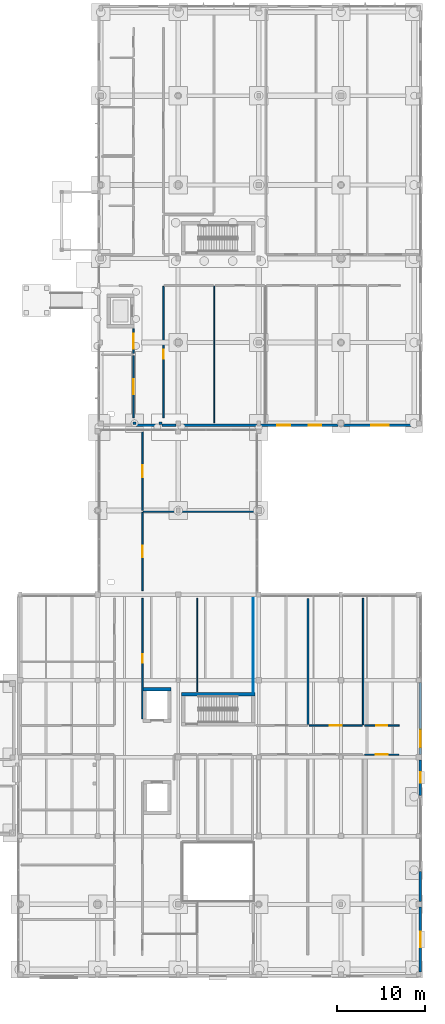
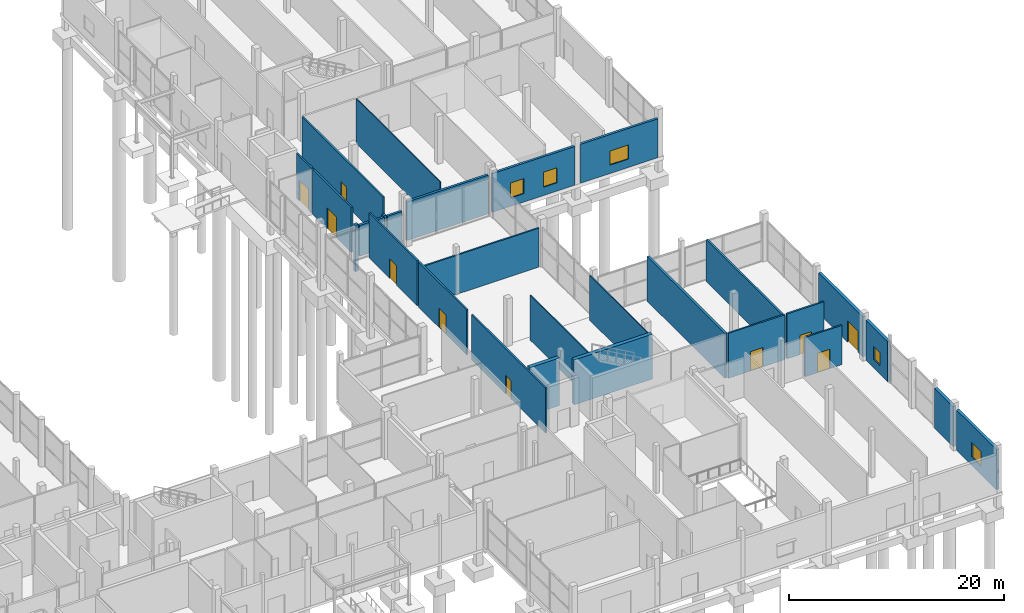
# One storey, part 68 of 88: 28 walls, 10 doors, 5 windows, 15 openings.
"""IFC4 building model written with IfcOpenShell, lengths in metres."""

import ifcopenshell
import ifcopenshell.guid

model = None  # the IFC model being written
_history = None  # IfcOwnerHistory: only IFC2X3 demands one
_inside = {}  # id of a spatial element -> (the spatial element, [elements in it])
_under = {}  # id of a project, library or spatial element -> (it, [spatial elements below it])
_declared = {}  # id of a project -> (the project, [libraries it declares])
_typed = {}  # id of a type object -> (the type object, [elements of that type])
_made_of = {}  # id of a material, layer set ... -> (it, [elements and type objects made of it])


def new_model(schema):
    """Start an empty IFC model of exactly this schema.

    Asked for "IFC4X3", IfcOpenShell would pick the latest addendum, in which some entities
    have other attributes; the version numbers below select the first issue.
    IFC2X3 requires an IfcOwnerHistory on every rooted entity: one is made here for all.
    """
    global model, _history
    if schema == "IFC4X3":
        model = ifcopenshell.file(schema_version=(4, 3, 0, 0))
    else:
        model = ifcopenshell.file(schema=schema)
    _inside.clear()
    _under.clear()
    _declared.clear()
    _typed.clear()
    _made_of.clear()
    _history = None
    if model.schema == "IFC2X3":
        org = make("IfcOrganization", Name="unknown")
        user = make(
            "IfcPersonAndOrganization",
            ThePerson=make("IfcPerson", FamilyName="unknown"),
            TheOrganization=org,
        )
        app = make(
            "IfcApplication",
            ApplicationDeveloper=org,
            Version="unknown",
            ApplicationFullName="unknown",
            ApplicationIdentifier="unknown",
        )
        _history = make(
            "IfcOwnerHistory",
            OwningUser=user,
            OwningApplication=app,
            ChangeAction="ADDED",
            CreationDate=0,
        )
    return model


def make(cls, **values):
    """One entity of the class cls with the attributes given. An attribute that is None is left unset."""
    return model.create_entity(
        cls, **{name: value for name, value in values.items() if value is not None}
    )


def rooted(cls, **values):
    """An entity with a GlobalId (a new one), such as an element, a storey or a relation."""
    return make(cls, GlobalId=ifcopenshell.guid.new(), OwnerHistory=_history, **values)


def si_unit(unit_type, name, prefix=None):
    """IfcSIUnit, for example si_unit("LENGTHUNIT", "METRE", prefix="MILLI")."""
    return make("IfcSIUnit", UnitType=unit_type, Prefix=prefix, Name=name)


def assignment(units):
    """IfcUnitAssignment: the units of a project."""
    return None if units is None else make("IfcUnitAssignment", Units=units)


def point(xyz):
    """IfcCartesianPoint."""
    return None if xyz is None else make("IfcCartesianPoint", Coordinates=xyz)


def direction(xyz):
    """IfcDirection."""
    return None if xyz is None else make("IfcDirection", DirectionRatios=xyz)


def frame(location, z_axis=None, x_axis=None):
    """IfcAxis2Placement3D, a coordinate frame: its origin and axes. An axis left out is left unset."""
    return make(
        "IfcAxis2Placement3D",
        Location=point(location),
        Axis=direction(z_axis),
        RefDirection=direction(x_axis),
    )


def frame_2d(location, x_axis=None):
    """IfcAxis2Placement2D, a coordinate frame in the plane: its origin and x axis."""
    return make(
        "IfcAxis2Placement2D", Location=point(location), RefDirection=direction(x_axis)
    )


def origin():
    """The frame at (0, 0, 0) with its axes left unset."""
    return frame((0.0, 0.0, 0.0))


def place(relative_to, where):
    """IfcLocalPlacement: puts the frame where relative to a parent placement (None: the world)."""
    return make(
        "IfcLocalPlacement", PlacementRelTo=relative_to, RelativePlacement=where
    )


def context(
    kind, dimensions, precision=None, world=None, true_north=None, identifier=None
):
    """IfcGeometricRepresentationContext, for example the 3D "Model" context."""
    return make(
        "IfcGeometricRepresentationContext",
        ContextIdentifier=identifier,
        ContextType=kind,
        CoordinateSpaceDimension=dimensions,
        Precision=precision,
        WorldCoordinateSystem=world,
        TrueNorth=true_north,
    )


def subcontext(parent, identifier, kind, view, scale=None):
    """IfcGeometricRepresentationSubContext, for example "Body" below "Model"."""
    return make(
        "IfcGeometricRepresentationSubContext",
        ContextIdentifier=identifier,
        ContextType=kind,
        ParentContext=parent,
        TargetScale=scale,
        TargetView=view,
    )


def project(units=None, contexts=None):
    """IfcProject with its units and contexts."""
    return rooted(
        "IfcProject",
        Name="project",
        RepresentationContexts=contexts,
        UnitsInContext=assignment(units),
    )


def spatial(cls, under=None, at=None, **own):
    """A site, building, storey or space (cls), placed at a placement, below another one or the project."""
    s = rooted(cls, ObjectPlacement=at, **own)
    if under is not None:
        _under.setdefault(under.id(), (under, []))[1].append(s)
    return s


def profile(cls, at=None, kind="AREA", **sizes):
    """A parametric profile (cls). Its sizes go by their IFC names, for example OverallWidth=200.0."""
    return make(cls, ProfileType=kind, Position=at, **sizes)


def rectangle(**sizes):
    """IfcRectangleProfileDef."""
    return profile("IfcRectangleProfileDef", **sizes)


def extrude(swept, where, along, depth):
    """IfcExtrudedAreaSolid: the profile swept, set in the frame where, extruded along a direction by depth."""
    return make(
        "IfcExtrudedAreaSolid",
        SweptArea=swept,
        Position=where,
        ExtrudedDirection=direction(along),
        Depth=depth,
    )


def shape(context_of_items, identifier, shape_type, items):
    """IfcShapeRepresentation: the items that make up one representation, for example the "Body"."""
    return make(
        "IfcShapeRepresentation",
        ContextOfItems=context_of_items,
        RepresentationIdentifier=identifier,
        RepresentationType=shape_type,
        Items=items,
    )


def material(Name=None, Category=None):
    """IfcMaterial."""
    return make("IfcMaterial", Name=Name, Category=Category)


def layer(
    of_material, thickness, ventilated=None, Name=None, Category=None, Priority=None
):
    """IfcMaterialLayer: one layer of a wall or slab, of a material (None: an air gap)."""
    return make(
        "IfcMaterialLayer",
        Material=of_material,
        LayerThickness=thickness,
        IsVentilated=ventilated,
        Name=Name,
        Category=Category,
        Priority=Priority,
    )


def layer_set(layers, Name=None):
    """IfcMaterialLayerSet."""
    return make("IfcMaterialLayerSet", MaterialLayers=layers, LayerSetName=Name)


def made_of(thing, what):
    """Note that an element or type object is made of a material, layer set ...; save() writes the relation."""
    if what is not None:
        _made_of.setdefault(what.id(), (what, []))[1].append(thing)
    return thing


def type_object(cls, material=None, **own):
    """A type object (cls), such as IfcWallType, which elements share."""
    return made_of(rooted(cls, **own), material)


def element(
    cls,
    number,
    at=None,
    inside=None,
    cuts=None,
    type_object=None,
    material=None,
    context=None,
    identifier="Body",
    shape_type=None,
    held_by="IfcProductDefinitionShape",
    body=None,
    shapes=None,
    **own,
):
    """One element of the class cls, such as IfcWall. Its Tag is "e" and its number.

    at: its placement. inside: the storey or other place that contains it. cuts: it is an
    opening in that element (IfcRelVoidsElement). A single representation is given by context,
    identifier, shape_type and body (its items); several are given by shapes. held_by: the class
    of the entity that holds the representations. save() writes the other relations.
    """
    e = rooted(cls, Tag="e%d" % number, ObjectPlacement=at, **own)
    if body is not None:
        shapes = [shape(context, identifier, shape_type, body)]
    if shapes is not None:
        e.Representation = make(held_by, Representations=shapes)
    if inside is not None:
        _inside.setdefault(inside.id(), (inside, []))[1].append(e)
    if cuts is not None:
        rooted(
            "IfcRelVoidsElement", RelatingBuildingElement=cuts, RelatedOpeningElement=e
        )
    if type_object is not None:
        _typed.setdefault(type_object.id(), (type_object, []))[1].append(e)
    return made_of(e, material)


def fill(opening, filler):
    """IfcRelFillsElement: the door or window that sits in an opening."""
    return rooted(
        "IfcRelFillsElement",
        RelatingOpeningElement=opening,
        RelatedBuildingElement=filler,
    )


def aggregate(whole, parts):
    """IfcRelAggregates: a whole, such as a stair, and the parts it consists of."""
    return rooted("IfcRelAggregates", RelatingObject=whole, RelatedObjects=parts)


def save(model, path):
    """Write the relations noted so far, then the file.

    IfcRelAggregates (storeys below a building ...), IfcRelContainedInSpatialStructure (elements
    in a storey), IfcRelDefinesByType, IfcRelAssociatesMaterial and IfcRelDeclares: one each for
    every whole, place, type object, material and project.
    """
    for whole, parts in _under.values():
        aggregate(whole, parts)
    for where, things in _inside.values():
        rooted(
            "IfcRelContainedInSpatialStructure",
            RelatedElements=things,
            RelatingStructure=where,
        )
    for kind, things in _typed.values():
        rooted("IfcRelDefinesByType", RelatedObjects=things, RelatingType=kind)
    for what, things in _made_of.values():
        rooted("IfcRelAssociatesMaterial", RelatedObjects=things, RelatingMaterial=what)
    for by, libraries in _declared.values():
        rooted("IfcRelDeclares", RelatingContext=by, RelatedDefinitions=libraries)
    model.write(path)


model = new_model("IFC4")

# Units and contexts
model_context = context("Model", 3, precision=1e-05, world=origin(), true_north=direction((0.0, 1.0)))
body_context = subcontext(model_context, "Body", "Model", "MODEL_VIEW")
ifc_project = project(units=[si_unit("LENGTHUNIT", "METRE"), si_unit("AREAUNIT", "SQUARE_METRE"), si_unit("VOLUMEUNIT", "CUBIC_METRE"), si_unit("PLANEANGLEUNIT", "RADIAN"), si_unit("MASSUNIT", "GRAM", prefix="KILO")], contexts=[model_context])

# Site, building, storey
site_placement = place(None, origin())
site = spatial("IfcSite", under=ifc_project, at=site_placement, CompositionType="ELEMENT")
building_placement = place(site_placement, origin())
building = spatial("IfcBuilding", under=site, at=building_placement, Name="Birchvale Park Specialist Clinic", CompositionType="ELEMENT")
storey_placement = place(building_placement, origin())
storey = spatial("IfcBuildingStorey", under=building, at=storey_placement, Name="L00", CompositionType="ELEMENT", Elevation=0.0)

# Walls
ifc_material_1 = material(Name="Concrete C40/50", Category="concrete")
ifc_layer_1 = layer(ifc_material_1, 0.39990234375)
ifc_layer_set_1 = layer_set([ifc_layer_1], Name="Concrete C40/50")
wall_type_1 = type_object("IfcWallType", Name="WL-CW-120", PredefinedType="SHEAR", material=ifc_layer_set_1)
wall_1_placement = place(storey_placement, frame((146.0, 33.0, 0.0), z_axis=(0.0, 0.0, 1.0), x_axis=(-1.0, 0.0, 0.0)))
element("IfcWall", 1, at=wall_1_placement, inside=storey, type_object=wall_type_1, Name="L00 stair ST6 EI 120 enclosure wall (north)", PredefinedType="SHEAR", context=body_context, shape_type="SweptSolid", body=[
    extrude(rectangle(XDim=8.39990234375, YDim=0.39990234375, at=frame_2d((4.199951171875, 0.0))), origin(), (0.0, 0.0, 1.0), 5.10009765625),
])
wall_2_placement = place(storey_placement, frame((136.39990234375, 33.60009765625, 0.0), z_axis=(0.0, 0.0, 1.0), x_axis=(-1.0, 0.0, 0.0)))
element("IfcWall", 2, at=wall_2_placement, inside=storey, type_object=wall_type_1, Name="L00 lift LS2 shaft wall (north)", PredefinedType="SHEAR", context=body_context, shape_type="SweptSolid", body=[
    extrude(rectangle(XDim=3.199951171875, YDim=0.39990234375, at=frame_2d((1.60009765625, 0.0))), origin(), (0.0, 0.0, 1.0), 5.39990234375),
])

# Wall, opening, window
ifc_material_2 = material(Name="Lime-white mineral-rendered insulated masonry", Category="masonry")
ifc_layer_2 = layer(ifc_material_2, 0.31005859375)
ifc_layer_set_2 = layer_set([ifc_layer_2], Name="Lime-white mineral-rendered insulated masonry")
wall_type_2 = type_object("IfcWallType", Name="WL-EW-02", PredefinedType="STANDARD", material=ifc_layer_set_2)
wall_3_placement = place(storey_placement, frame((164.875, 1.260009765625, 0.0), z_axis=(0.0, 0.0, 1.0), x_axis=(0.0, 1.0, 0.0)))
wall_3 = element("IfcWall", 3, at=wall_3_placement, inside=storey, type_object=wall_type_2, Name="V5 L00 exterior facade wall 94", PredefinedType="STANDARD", context=body_context, shape_type="SweptSolid", body=[
    extrude(rectangle(XDim=7.429931640625, YDim=0.31005859375, at=frame_2d((3.71484375, 0.0))), origin(), (0.0, 0.0, 1.0), 4.570068359375),
])
opening_1_placement = place(wall_3_placement, frame((2.840087890625, 0.0, 0.949951171875)))
opening_1 = element("IfcOpeningElement", 4, at=opening_1_placement, cuts=wall_3, Name="Opening W-CL16", PredefinedType="OPENING", context=body_context, shape_type="SweptSolid", body=[
    extrude(rectangle(XDim=1.75, YDim=1.64990234375, at=frame_2d((0.875, 0.824951171875))), frame((0.0, 0.1650390625, 0.0), z_axis=(0.0, -1.0, 0.0), x_axis=(1.0, 0.0, 0.0)), (0.0, 0.0, 1.0), 0.330078125),
])
ifc_material_3 = material(Name="Solar-control low-E double glazing", Category="glass")
window_type_1 = type_object("IfcWindowType", Name="WIN-W-CL16", PartitioningType="SINGLE_PANEL", PredefinedType="WINDOW", material=ifc_material_3)
window_1_placement = place(opening_1_placement, origin())
window_1 = element("IfcWindow", 5, at=window_1_placement, inside=storey, type_object=window_type_1, Name="V5 L00 cased window 13", OverallHeight=1.64990234375, OverallWidth=1.75, PartitioningType="SINGLE_PANEL", PredefinedType="WINDOW", context=body_context, shape_type="SweptSolid", body=[
    extrude(rectangle(XDim=1.75, YDim=1.64990234375, at=frame_2d((0.875, 0.824951171875))), frame((0.0, 0.030029296875, 0.0), z_axis=(0.0, -1.0, 0.0), x_axis=(1.0, 0.0, 0.0)), (0.0, 0.0, 1.0), 0.06005859375),
])
fill(opening_1, window_1)

# Wall
wall_4_placement = place(storey_placement, frame((164.875, 9.31005859375, 0.0), z_axis=(0.0, 0.0, 1.0), x_axis=(0.0, 1.0, 0.0)))
element("IfcWall", 6, at=wall_4_placement, inside=storey, type_object=wall_type_2, Name="V5 L00 exterior facade wall 95", PredefinedType="STANDARD", context=body_context, shape_type="SweptSolid", body=[
    extrude(rectangle(XDim=3.425048828125, YDim=0.31005859375, at=frame_2d((1.71240234375, 0.0))), origin(), (0.0, 0.0, 1.0), 4.570068359375),
])

# Wall, opening, window
wall_5_placement = place(storey_placement, frame((164.875, 21.455078125, 0.0), z_axis=(0.0, 0.0, 1.0), x_axis=(0.0, 1.0, 0.0)))
wall_5 = element("IfcWall", 7, at=wall_5_placement, inside=storey, type_object=wall_type_2, Name="V5 L00 exterior facade wall 96", PredefinedType="STANDARD", context=body_context, shape_type="SweptSolid", body=[
    extrude(rectangle(XDim=4.034912109375, YDim=0.31005859375, at=frame_2d((2.017578125, 0.0))), origin(), (0.0, 0.0, 1.0), 4.570068359375),
])
opening_2_placement = place(wall_5_placement, frame((1.41748046875, 0.0, 0.949951171875)))
opening_2 = element("IfcOpeningElement", 8, at=opening_2_placement, cuts=wall_5, Name="Opening W-CL01", PredefinedType="OPENING", context=body_context, shape_type="SweptSolid", body=[
    extrude(rectangle(XDim=1.199951171875, YDim=1.5, at=frame_2d((0.60009765625, 0.75))), frame((0.0, 0.1650390625, 0.0), z_axis=(0.0, -1.0, 0.0), x_axis=(1.0, 0.0, 0.0)), (0.0, 0.0, 1.0), 0.330078125),
])
window_type_2 = type_object("IfcWindowType", Name="WIN-W-CL01", PartitioningType="SINGLE_PANEL", PredefinedType="WINDOW", material=ifc_material_3)
window_2_placement = place(opening_2_placement, origin())
window_2 = element("IfcWindow", 9, at=window_2_placement, inside=storey, type_object=window_type_2, Name="V5 L00 cased window 14", OverallHeight=1.5, OverallWidth=1.199951171875, PartitioningType="SINGLE_PANEL", PredefinedType="WINDOW", context=body_context, shape_type="SweptSolid", body=[
    extrude(rectangle(XDim=1.199951171875, YDim=1.5, at=frame_2d((0.60009765625, 0.75))), frame((0.0, 0.030029296875, 0.0), z_axis=(0.0, -1.0, 0.0), x_axis=(1.0, 0.0, 0.0)), (0.0, 0.0, 1.0), 0.06005859375),
])
fill(opening_2, window_2)

# Wall, opening, door
wall_6_placement = place(storey_placement, frame((164.875, 26.110107421875, 0.0), z_axis=(0.0, 0.0, 1.0), x_axis=(0.0, 1.0, 0.0)))
wall_6 = element("IfcWall", 10, at=wall_6_placement, inside=storey, type_object=wall_type_2, Name="V5 L00 exterior facade wall 97", PredefinedType="STANDARD", context=body_context, shape_type="SweptSolid", body=[
    extrude(rectangle(XDim=8.22998046875, YDim=0.31005859375, at=frame_2d((4.114990234375, 0.0))), origin(), (0.0, 0.0, 1.0), 4.570068359375),
])
opening_3_placement = place(wall_6_placement, frame((0.82470703125, 0.0, 0.0)))
opening_3 = element("IfcOpeningElement", 11, at=opening_3_placement, cuts=wall_6, Name="Opening ED-02", PredefinedType="OPENING", context=body_context, shape_type="SweptSolid", body=[
    extrude(rectangle(XDim=2.0, YDim=2.39990234375, at=frame_2d((1.0, 1.199951171875))), frame((0.0, 0.1650390625, 0.0), z_axis=(0.0, -1.0, 0.0), x_axis=(1.0, 0.0, 0.0)), (0.0, 0.0, 1.0), 0.330078125),
])
ifc_material_4 = material(Name="Powder-coated aluminium and laminated safety glass", Category="aluminium")
door_type_1 = type_object("IfcDoorType", Name="DR-ED-02", OperationType="DOUBLE_DOOR_SINGLE_SWING", PredefinedType="DOOR", material=ifc_material_4)
door_1_placement = place(opening_3_placement, frame((2.0, 0.0, 0.0), z_axis=(0.0, 0.0, 1.0), x_axis=(-1.0, 0.0, 0.0)))
door_1 = element("IfcDoor", 12, at=door_1_placement, inside=storey, type_object=door_type_1, Name="L00 V5 final exit double door 29", OperationType="DOUBLE_DOOR_SINGLE_SWING", OverallHeight=2.39990234375, OverallWidth=2.0, PredefinedType="DOOR", context=body_context, shape_type="SweptSolid", body=[
    extrude(rectangle(XDim=2.0, YDim=2.39990234375, at=frame_2d((1.0, 1.199951171875))), frame((0.0, 0.02490234375, 0.0), z_axis=(0.0, -1.0, 0.0), x_axis=(1.0, 0.0, 0.0)), (0.0, 0.0, 1.0), 0.050048828125),
])
fill(opening_3, door_1)

# Walls
ifc_layer_3 = layer(ifc_material_2, 0.25)
ifc_layer_set_3 = layer_set([ifc_layer_3], Name="Lime-white mineral-rendered insulated masonry")
wall_type_3 = type_object("IfcWallType", Name="WL-EW-05", PredefinedType="STANDARD", material=ifc_layer_set_3)
wall_7_placement = place(storey_placement, frame((132.3701171875, 63.7451171875, 0.0), z_axis=(0.0, 0.0, 1.0), x_axis=(1.0, 0.0, 0.0)))
element("IfcWall", 13, at=wall_7_placement, inside=storey, type_object=wall_type_3, Name="V6 L00 exterior facade wall 102", PredefinedType="STANDARD", context=body_context, shape_type="SweptSolid", body=[
    extrude(rectangle(XDim=2.659912109375, YDim=0.25, at=frame_2d((1.330078125, 0.0))), origin(), (0.0, 0.0, 1.0), 3.508056640625),
])
wall_8_placement = place(storey_placement, frame((135.3701171875, 63.7451171875, 0.0), z_axis=(0.0, 0.0, 1.0), x_axis=(1.0, 0.0, 0.0)))
element("IfcWall", 14, at=wall_8_placement, inside=storey, type_object=wall_type_3, Name="V6 L00 exterior facade wall 103", PredefinedType="STANDARD", context=body_context, shape_type="SweptSolid", body=[
    extrude(rectangle(XDim=1.56982421875, YDim=0.25, at=frame_2d((0.784912109375, 0.0))), origin(), (0.0, 0.0, 1.0), 3.508056640625),
])
wall_9_placement = place(storey_placement, frame((137.4599609375, 63.7451171875, 0.0), z_axis=(0.0, 0.0, 1.0), x_axis=(1.0, 0.0, 0.0)))
element("IfcWall", 15, at=wall_9_placement, inside=storey, type_object=wall_type_3, Name="V6 L00 exterior facade wall 104", PredefinedType="STANDARD", context=body_context, shape_type="SweptSolid", body=[
    extrude(rectangle(XDim=8.735107421875, YDim=0.25, at=frame_2d((4.36767578125, 0.0))), origin(), (0.0, 0.0, 1.0), 4.39501953125),
])

# Wall, openings, windows
wall_10_placement = place(storey_placement, frame((146.60498046875, 63.7451171875, 0.0), z_axis=(0.0, 0.0, 1.0), x_axis=(1.0, 0.0, 0.0)))
wall_10 = element("IfcWall", 16, at=wall_10_placement, inside=storey, type_object=wall_type_3, Name="V6 L00 exterior facade wall 105", PredefinedType="STANDARD", context=body_context, shape_type="SweptSolid", body=[
    extrude(rectangle(XDim=8.885009765625, YDim=0.25, at=frame_2d((4.4423828125, 0.0))), origin(), (0.0, 0.0, 1.0), 4.39501953125),
])
opening_4_placement = place(wall_10_placement, frame((1.9404296875, 0.0, 0.949951171875)))
opening_4 = element("IfcOpeningElement", 17, at=opening_4_placement, cuts=wall_10, Name="Opening W-CL12", PredefinedType="OPENING", context=body_context, shape_type="SweptSolid", body=[
    extrude(rectangle(XDim=1.449951171875, YDim=1.699951171875, at=frame_2d((0.72509765625, 0.85009765625))), frame((0.0, 0.135009765625, 0.0), z_axis=(0.0, -1.0, 0.0), x_axis=(1.0, 0.0, 0.0)), (0.0, 0.0, 1.0), 0.27001953125),
])
opening_5_placement = place(wall_10_placement, frame((5.494384765625, 0.0, 0.949951171875)))
opening_5 = element("IfcOpeningElement", 18, at=opening_5_placement, cuts=wall_10, Name="Opening W-CL12", PredefinedType="OPENING", context=body_context, shape_type="SweptSolid", body=[
    extrude(rectangle(XDim=1.449951171875, YDim=1.699951171875, at=frame_2d((0.72509765625, 0.85009765625))), frame((0.0, 0.135009765625, 0.0), z_axis=(0.0, -1.0, 0.0), x_axis=(1.0, 0.0, 0.0)), (0.0, 0.0, 1.0), 0.27001953125),
])
window_type_3 = type_object("IfcWindowType", Name="WIN-W-CL12", PartitioningType="SINGLE_PANEL", PredefinedType="WINDOW", material=ifc_material_3)
window_3_placement = place(opening_4_placement, origin())
window_3 = element("IfcWindow", 19, at=window_3_placement, inside=storey, type_object=window_type_3, Name="V6 L00 cased window 15", OverallHeight=1.699951171875, OverallWidth=1.449951171875, PartitioningType="SINGLE_PANEL", PredefinedType="WINDOW", context=body_context, shape_type="SweptSolid", body=[
    extrude(rectangle(XDim=1.449951171875, YDim=1.699951171875, at=frame_2d((0.72509765625, 0.85009765625))), frame((0.0, 0.030029296875, 0.0), z_axis=(0.0, -1.0, 0.0), x_axis=(1.0, 0.0, 0.0)), (0.0, 0.0, 1.0), 0.06005859375),
])
fill(opening_4, window_3)
window_4_placement = place(opening_5_placement, origin())
window_4 = element("IfcWindow", 20, at=window_4_placement, inside=storey, type_object=window_type_3, Name="V6 L00 cased window 16", OverallHeight=1.699951171875, OverallWidth=1.449951171875, PartitioningType="SINGLE_PANEL", PredefinedType="WINDOW", context=body_context, shape_type="SweptSolid", body=[
    extrude(rectangle(XDim=1.449951171875, YDim=1.699951171875, at=frame_2d((0.72509765625, 0.85009765625))), frame((0.0, 0.030029296875, 0.0), z_axis=(0.0, -1.0, 0.0), x_axis=(1.0, 0.0, 0.0)), (0.0, 0.0, 1.0), 0.06005859375),
])
fill(opening_5, window_4)

# Wall, opening, window
wall_11_placement = place(storey_placement, frame((156.110107421875, 63.7451171875, 0.0), z_axis=(0.0, 0.0, 1.0), x_axis=(1.0, 0.0, 0.0)))
wall_11 = element("IfcWall", 21, at=wall_11_placement, inside=storey, type_object=wall_type_3, Name="V6 L00 exterior facade wall 106", PredefinedType="STANDARD", context=body_context, shape_type="SweptSolid", body=[
    extrude(rectangle(XDim=8.304931640625, YDim=0.25, at=frame_2d((4.15234375, 0.0))), origin(), (0.0, 0.0, 1.0), 4.419921875),
])
opening_6_placement = place(wall_11_placement, frame((3.152587890625, 0.0, 0.949951171875)))
opening_6 = element("IfcOpeningElement", 22, at=opening_6_placement, cuts=wall_11, Name="Opening W-CL06", PredefinedType="OPENING", context=body_context, shape_type="SweptSolid", body=[
    extrude(rectangle(XDim=2.0, YDim=1.60009765625, at=frame_2d((1.0, 0.800048828125))), frame((0.0, 0.135009765625, 0.0), z_axis=(0.0, -1.0, 0.0), x_axis=(1.0, 0.0, 0.0)), (0.0, 0.0, 1.0), 0.27001953125),
])
window_type_4 = type_object("IfcWindowType", Name="WIN-W-CL06", PartitioningType="SINGLE_PANEL", PredefinedType="WINDOW", material=ifc_material_3)
window_5_placement = place(opening_6_placement, origin())
window_5 = element("IfcWindow", 23, at=window_5_placement, inside=storey, type_object=window_type_4, Name="V6 L00 cased window 17", OverallHeight=1.60009765625, OverallWidth=2.0, PartitioningType="SINGLE_PANEL", PredefinedType="WINDOW", context=body_context, shape_type="SweptSolid", body=[
    extrude(rectangle(XDim=2.0, YDim=1.60009765625, at=frame_2d((1.0, 0.800048828125))), frame((0.0, 0.030029296875, 0.0), z_axis=(0.0, -1.0, 0.0), x_axis=(1.0, 0.0, 0.0)), (0.0, 0.0, 1.0), 0.06005859375),
])
fill(opening_6, window_5)

# Walls
ifc_material_5 = material(Name="Acoustic gypsum board on metal framing")
ifc_layer_4 = layer(ifc_material_5, 0.1650390625)
ifc_layer_set_4 = layer_set([ifc_layer_4], Name="Acoustic gypsum board on metal framing")
wall_type_4 = type_object("IfcWallType", Name="WL-IW-01", PredefinedType="PARTITIONING", material=ifc_layer_set_4)
wall_12_placement = place(storey_placement, frame((133.179931640625, 53.860107421875, 0.0), z_axis=(0.0, 0.0, 1.0), x_axis=(1.0, 0.0, 0.0)))
element("IfcWall", 24, at=wall_12_placement, inside=storey, type_object=wall_type_4, Name="V5 L00 clinical partition 248", PredefinedType="PARTITIONING", context=body_context, shape_type="SweptSolid", body=[
    extrude(rectangle(XDim=12.780029296875, YDim=0.1650390625, at=frame_2d((6.39013671875, 0.0))), origin(), (0.0, 0.0, 1.0), 4.43505859375),
])
ifc_layer_5 = layer(ifc_material_5, 0.114990234375)
ifc_layer_set_5 = layer_set([ifc_layer_5], Name="Acoustic gypsum board on metal framing")
wall_type_5 = type_object("IfcWallType", Name="WL-IW-05", PredefinedType="PARTITIONING", material=ifc_layer_set_5)
wall_13_placement = place(storey_placement, frame((139.3779296875, 43.9599609375, 0.0), z_axis=(0.0, 0.0, 1.0), x_axis=(0.0, -1.0, 0.0)))
element("IfcWall", 25, at=wall_13_placement, inside=storey, type_object=wall_type_5, Name="V5 L00 clinical partition 240", PredefinedType="PARTITIONING", context=body_context, shape_type="SweptSolid", body=[
    extrude(rectangle(XDim=10.659912109375, YDim=0.114990234375, at=frame_2d((5.330078125, 0.0))), origin(), (0.0, 0.0, 1.0), 5.10009765625),
])
wall_14_placement = place(storey_placement, frame((141.298095703125, 79.6201171875, 0.0), z_axis=(0.0, 0.0, 1.0), x_axis=(0.0, -1.0, 0.0)))
element("IfcWall", 26, at=wall_14_placement, inside=storey, type_object=wall_type_5, Name="V6 L00 clinical partition 255", PredefinedType="PARTITIONING", context=body_context, shape_type="SweptSolid", body=[
    extrude(rectangle(XDim=15.580078125, YDim=0.114990234375, at=frame_2d((7.7900390625, 0.0))), origin(), (0.0, 0.0, 1.0), 5.10009765625),
])
ifc_layer_6 = layer(ifc_material_5, 0.10009765625)
ifc_layer_set_6 = layer_set([ifc_layer_6], Name="Acoustic gypsum board on metal framing")
wall_type_6 = type_object("IfcWallType", Name="WL-IW-06", PredefinedType="PARTITIONING", material=ifc_layer_set_6)
wall_15_placement = place(storey_placement, frame((145.77587890625, 33.300048828125, 0.0), z_axis=(0.0, 0.0, 1.0), x_axis=(0.0, 1.0, 0.0)))
element("IfcWall", 27, at=wall_15_placement, inside=storey, type_object=wall_type_6, Name="V5 L00 clinical partition 241", PredefinedType="PARTITIONING", context=body_context, shape_type="SweptSolid", body=[
    extrude(rectangle(XDim=10.659912109375, YDim=0.10009765625, at=frame_2d((5.330078125, 0.0))), origin(), (0.0, 0.0, 1.0), 5.10009765625),
])
ifc_layer_7 = layer(ifc_material_5, 0.195068359375)
ifc_layer_set_7 = layer_set([ifc_layer_7], Name="Acoustic gypsum board on metal framing")
wall_type_7 = type_object("IfcWallType", Name="WL-IW-07", PredefinedType="PARTITIONING", material=ifc_layer_set_7)
wall_16_placement = place(storey_placement, frame((158.33203125, 43.9599609375, 0.0), z_axis=(0.0, 0.0, 1.0), x_axis=(0.0, -1.0, 0.0)))
element("IfcWall", 28, at=wall_16_placement, inside=storey, type_object=wall_type_7, Name="V5 L00 clinical partition 244", PredefinedType="PARTITIONING", context=body_context, shape_type="SweptSolid", body=[
    extrude(rectangle(XDim=14.429931640625, YDim=0.195068359375, at=frame_2d((7.21484375, 0.0))), origin(), (0.0, 0.0, 1.0), 4.79296875),
])
ifc_layer_8 = layer(ifc_material_5, 0.239990234375)
ifc_layer_set_8 = layer_set([ifc_layer_8], Name="Acoustic gypsum board on metal framing")
wall_type_8 = type_object("IfcWallType", Name="WL-IW-08", PredefinedType="PARTITIONING", material=ifc_layer_set_8)
wall_17_placement = place(storey_placement, frame((152.013916015625, 43.9599609375, 0.0), z_axis=(0.0, 0.0, 1.0), x_axis=(0.0, -1.0, 0.0)))
element("IfcWall", 29, at=wall_17_placement, inside=storey, type_object=wall_type_8, Name="V5 L00 clinical partition 242", PredefinedType="PARTITIONING", context=body_context, shape_type="SweptSolid", body=[
    extrude(rectangle(XDim=14.429931640625, YDim=0.239990234375, at=frame_2d((7.21484375, 0.0))), origin(), (0.0, 0.0, 1.0), 5.10009765625),
])

# Wall, opening, door
ifc_layer_9 = layer(ifc_material_5, 0.179931640625)
ifc_layer_set_9 = layer_set([ifc_layer_9], Name="Acoustic gypsum board on metal framing")
wall_type_9 = type_object("IfcWallType", Name="WL-IW-60", PredefinedType="PARTITIONING", material=ifc_layer_set_9)
wall_18_placement = place(storey_placement, frame((158.491943359375, 26.10009765625, 0.0), z_axis=(0.0, 0.0, 1.0), x_axis=(1.0, 0.0, 0.0)))
wall_18 = element("IfcWall", 30, at=wall_18_placement, inside=storey, type_object=wall_type_9, Name="V5 L00 clinical partition 234", PredefinedType="PARTITIONING", context=body_context, shape_type="SweptSolid", body=[
    extrude(rectangle(XDim=3.953125, YDim=0.179931640625, at=frame_2d((1.9765625, 0.0))), origin(), (0.0, 0.0, 1.0), 4.4599609375),
])
opening_7_placement = place(wall_18_placement, frame((1.301513671875, 0.0, 0.0)))
opening_7 = element("IfcOpeningElement", 31, at=opening_7_placement, cuts=wall_18, Name="Opening ID-FD30", PredefinedType="OPENING", context=body_context, shape_type="SweptSolid", body=[
    extrude(rectangle(XDim=1.35009765625, YDim=2.199951171875, at=frame_2d((0.675048828125, 1.10009765625))), frame((0.0, 0.10009765625, 0.0), z_axis=(0.0, -1.0, 0.0), x_axis=(1.0, 0.0, 0.0)), (0.0, 0.0, 1.0), 0.199951171875),
])
ifc_material_6 = material(Name="Solid-core birch veneer and anodised aluminium", Category="aluminium")
door_type_2 = type_object("IfcDoorType", Name="DR-ID-FD30", OperationType="NOTDEFINED", PredefinedType="DOOR", material=ifc_material_6)
door_2_placement = place(opening_7_placement, origin())
door_2 = element("IfcDoor", 32, at=door_2_placement, inside=storey, type_object=door_type_2, Name="L00 Outpatient Pharmacy Dispensary door", OperationType="SINGLE_SWING_RIGHT", OverallHeight=2.199951171875, OverallWidth=1.35009765625, PredefinedType="DOOR", context=body_context, shape_type="SweptSolid", body=[
    extrude(rectangle(XDim=1.35009765625, YDim=2.199951171875, at=frame_2d((0.675048828125, 1.10009765625))), frame((0.0, 0.02490234375, 0.0), z_axis=(0.0, -1.0, 0.0), x_axis=(1.0, 0.0, 0.0)), (0.0, 0.0, 1.0), 0.050048828125),
])
fill(opening_7, door_2)

wall_19_placement = place(storey_placement, frame((133.10009765625, 30.179931640625, 0.0), z_axis=(0.0, 0.0, 1.0), x_axis=(0.0, 1.0, 0.0)))
wall_19 = element("IfcWall", 33, at=wall_19_placement, inside=storey, type_object=wall_type_9, Name="V5 L00 clinical partition 239", PredefinedType="PARTITIONING", context=body_context, shape_type="SweptSolid", body=[
    extrude(rectangle(XDim=13.780029296875, YDim=0.179931640625, at=frame_2d((6.89013671875, 0.0))), origin(), (0.0, 0.0, 1.0), 5.10009765625),
])
opening_8_placement = place(wall_19_placement, frame((6.409912109375, 0.0, 0.0)))
opening_8 = element("IfcOpeningElement", 34, at=opening_8_placement, cuts=wall_19, Name="Opening ID-04", PredefinedType="OPENING", context=body_context, shape_type="SweptSolid", body=[
    extrude(rectangle(XDim=0.9599609375, YDim=2.10009765625, at=frame_2d((0.47998046875, 1.050048828125))), frame((0.0, 0.10009765625, 0.0), z_axis=(0.0, -1.0, 0.0), x_axis=(1.0, 0.0, 0.0)), (0.0, 0.0, 1.0), 0.199951171875),
])
door_type_3 = type_object("IfcDoorType", Name="DR-ID-04", OperationType="NOTDEFINED", PredefinedType="DOOR", material=ifc_material_6)
door_3_placement = place(opening_8_placement, origin())
door_3 = element("IfcDoor", 35, at=door_3_placement, inside=storey, type_object=door_type_3, Name="L00 Outpatient Waiting Lounge door", OperationType="SINGLE_SWING_LEFT", OverallHeight=2.10009765625, OverallWidth=0.9599609375, PredefinedType="DOOR", context=body_context, shape_type="SweptSolid", body=[
    extrude(rectangle(XDim=0.9599609375, YDim=2.10009765625, at=frame_2d((0.47998046875, 1.050048828125))), frame((0.0, 0.02490234375, 0.0), z_axis=(0.0, -1.0, 0.0), x_axis=(1.0, 0.0, 0.0)), (0.0, 0.0, 1.0), 0.050048828125),
])
fill(opening_8, door_3)

wall_20_placement = place(storey_placement, frame((158.251953125, 29.449951171875, 0.0), z_axis=(0.0, 0.0, 1.0), x_axis=(-1.0, 0.0, 0.0)))
wall_20 = element("IfcWall", 36, at=wall_20_placement, inside=storey, type_object=wall_type_9, Name="V5 L00 clinical partition 245", PredefinedType="PARTITIONING", context=body_context, shape_type="SweptSolid", body=[
    extrude(rectangle(XDim=6.077880859375, YDim=0.179931640625, at=frame_2d((3.0390625, 0.0))), origin(), (0.0, 0.0, 1.0), 5.10009765625),
])
opening_9_placement = place(wall_20_placement, frame((2.364013671875, 0.0, 0.0)))
opening_9 = element("IfcOpeningElement", 37, at=opening_9_placement, cuts=wall_20, Name="Opening ID-FD30", PredefinedType="OPENING", context=body_context, shape_type="SweptSolid", body=[
    extrude(rectangle(XDim=1.35009765625, YDim=2.199951171875, at=frame_2d((0.675048828125, 1.10009765625))), frame((0.0, 0.10009765625, 0.0), z_axis=(0.0, -1.0, 0.0), x_axis=(1.0, 0.0, 0.0)), (0.0, 0.0, 1.0), 0.199951171875),
])
door_4_placement = place(opening_9_placement, origin())
door_4 = element("IfcDoor", 38, at=door_4_placement, inside=storey, type_object=door_type_2, Name="L00 Outpatient Pharmacy Dispensary door", OperationType="SINGLE_SWING_LEFT", OverallHeight=2.199951171875, OverallWidth=1.35009765625, PredefinedType="DOOR", context=body_context, shape_type="SweptSolid", body=[
    extrude(rectangle(XDim=1.35009765625, YDim=2.199951171875, at=frame_2d((0.675048828125, 1.10009765625))), frame((0.0, 0.02490234375, 0.0), z_axis=(0.0, -1.0, 0.0), x_axis=(1.0, 0.0, 0.0)), (0.0, 0.0, 1.0), 0.050048828125),
])
fill(opening_9, door_4)

wall_21_placement = place(storey_placement, frame((162.445068359375, 29.449951171875, 0.0), z_axis=(0.0, 0.0, 1.0), x_axis=(-1.0, 0.0, 0.0)))
wall_21 = element("IfcWall", 39, at=wall_21_placement, inside=storey, type_object=wall_type_9, Name="V5 L00 clinical partition 246", PredefinedType="PARTITIONING", context=body_context, shape_type="SweptSolid", body=[
    extrude(rectangle(XDim=3.953125, YDim=0.179931640625, at=frame_2d((1.9765625, 0.0))), origin(), (0.0, 0.0, 1.0), 5.10009765625),
])
opening_10_placement = place(wall_21_placement, frame((1.366455078125, 0.0, 0.0)))
opening_10 = element("IfcOpeningElement", 40, at=opening_10_placement, cuts=wall_21, Name="Opening ID-10", PredefinedType="OPENING", context=body_context, shape_type="SweptSolid", body=[
    extrude(rectangle(XDim=1.219970703125, YDim=2.179931640625, at=frame_2d((0.60986328125, 1.08984375))), frame((0.0, 0.10009765625, 0.0), z_axis=(0.0, -1.0, 0.0), x_axis=(1.0, 0.0, 0.0)), (0.0, 0.0, 1.0), 0.199951171875),
])
door_type_4 = type_object("IfcDoorType", Name="DR-ID-10", OperationType="NOTDEFINED", PredefinedType="DOOR", material=ifc_material_6)
door_5_placement = place(opening_10_placement, origin())
door_5 = element("IfcDoor", 41, at=door_5_placement, inside=storey, type_object=door_type_4, Name="L00 Ambulatory Procedure Triage door", OperationType="SINGLE_SWING_RIGHT", OverallHeight=2.179931640625, OverallWidth=1.219970703125, PredefinedType="DOOR", context=body_context, shape_type="SweptSolid", body=[
    extrude(rectangle(XDim=1.219970703125, YDim=2.179931640625, at=frame_2d((0.60986328125, 1.08984375))), frame((0.0, 0.02490234375, 0.0), z_axis=(0.0, -1.0, 0.0), x_axis=(1.0, 0.0, 0.0)), (0.0, 0.0, 1.0), 0.050048828125),
])
fill(opening_10, door_5)

wall_22_placement = place(storey_placement, frame((133.10009765625, 44.840087890625, 0.0), z_axis=(0.0, 0.0, 1.0), x_axis=(0.0, 1.0, 0.0)))
wall_22 = element("IfcWall", 42, at=wall_22_placement, inside=storey, type_object=wall_type_9, Name="V5 L00 clinical partition 247", PredefinedType="PARTITIONING", context=body_context, shape_type="SweptSolid", body=[
    extrude(rectangle(XDim=8.93994140625, YDim=0.179931640625, at=frame_2d((4.469970703125, 0.0))), origin(), (0.0, 0.0, 1.0), 5.10009765625),
])
opening_11_placement = place(wall_22_placement, frame((3.794921875, 0.0, 0.0)))
opening_11 = element("IfcOpeningElement", 43, at=opening_11_placement, cuts=wall_22, Name="Opening ID-FD30", PredefinedType="OPENING", context=body_context, shape_type="SweptSolid", body=[
    extrude(rectangle(XDim=1.35009765625, YDim=2.199951171875, at=frame_2d((0.675048828125, 1.10009765625))), frame((0.0, 0.10009765625, 0.0), z_axis=(0.0, -1.0, 0.0), x_axis=(1.0, 0.0, 0.0)), (0.0, 0.0, 1.0), 0.199951171875),
])
door_6_placement = place(opening_11_placement, origin())
door_6 = element("IfcDoor", 44, at=door_6_placement, inside=storey, type_object=door_type_2, Name="L00 Outpatient Pharmacy Dispensary door", OperationType="SINGLE_SWING_LEFT", OverallHeight=2.199951171875, OverallWidth=1.35009765625, PredefinedType="DOOR", context=body_context, shape_type="SweptSolid", body=[
    extrude(rectangle(XDim=1.35009765625, YDim=2.199951171875, at=frame_2d((0.675048828125, 1.10009765625))), frame((0.0, 0.02490234375, 0.0), z_axis=(0.0, -1.0, 0.0), x_axis=(1.0, 0.0, 0.0)), (0.0, 0.0, 1.0), 0.050048828125),
])
fill(opening_11, door_6)

wall_23_placement = place(storey_placement, frame((133.10009765625, 54.02001953125, 0.0), z_axis=(0.0, 0.0, 1.0), x_axis=(0.0, 1.0, 0.0)))
wall_23 = element("IfcWall", 45, at=wall_23_placement, inside=storey, type_object=wall_type_9, Name="V5 L00 clinical partition 249", PredefinedType="PARTITIONING", context=body_context, shape_type="SweptSolid", body=[
    extrude(rectangle(XDim=8.93994140625, YDim=0.179931640625, at=frame_2d((4.469970703125, 0.0))), origin(), (0.0, 0.0, 1.0), 5.10009765625),
])
opening_12_placement = place(wall_23_placement, frame((3.81005859375, 0.0, 0.0)))
opening_12 = element("IfcOpeningElement", 46, at=opening_12_placement, cuts=wall_23, Name="Opening ID-12", PredefinedType="OPENING", context=body_context, shape_type="SweptSolid", body=[
    extrude(rectangle(XDim=1.320068359375, YDim=2.219970703125, at=frame_2d((0.66015625, 1.10986328125))), frame((0.0, 0.10009765625, 0.0), z_axis=(0.0, -1.0, 0.0), x_axis=(1.0, 0.0, 0.0)), (0.0, 0.0, 1.0), 0.199951171875),
])
door_type_5 = type_object("IfcDoorType", Name="DR-ID-12", OperationType="NOTDEFINED", PredefinedType="DOOR", material=ifc_material_6)
door_7_placement = place(opening_12_placement, origin())
door_7 = element("IfcDoor", 47, at=door_7_placement, inside=storey, type_object=door_type_5, Name="L00 Patient Medication Counselling Room door", OperationType="SINGLE_SWING_RIGHT", OverallHeight=2.219970703125, OverallWidth=1.320068359375, PredefinedType="DOOR", context=body_context, shape_type="SweptSolid", body=[
    extrude(rectangle(XDim=1.320068359375, YDim=2.219970703125, at=frame_2d((0.66015625, 1.10986328125))), frame((0.0, 0.02490234375, 0.0), z_axis=(0.0, -1.0, 0.0), x_axis=(1.0, 0.0, 0.0)), (0.0, 0.0, 1.0), 0.050048828125),
])
fill(opening_12, door_7)

wall_24_placement = place(storey_placement, frame((132.10009765625, 71.7099609375, 0.0), z_axis=(0.0, 0.0, 1.0), x_axis=(0.0, -1.0, 0.0)))
wall_24 = element("IfcWall", 48, at=wall_24_placement, inside=storey, type_object=wall_type_9, Name="V6 L00 clinical partition 251", PredefinedType="PARTITIONING", context=body_context, shape_type="SweptSolid", body=[
    extrude(rectangle(XDim=7.135009765625, YDim=0.179931640625, at=frame_2d((3.5673828125, 0.0))), origin(), (0.0, 0.0, 1.0), 5.10009765625),
])
opening_13_placement = place(wall_24_placement, frame((2.6923828125, 0.0, 0.0)))
opening_13 = element("IfcOpeningElement", 49, at=opening_13_placement, cuts=wall_24, Name="Opening ID-09", PredefinedType="OPENING", context=body_context, shape_type="SweptSolid", body=[
    extrude(rectangle(XDim=1.75, YDim=2.35009765625, at=frame_2d((0.875, 1.175048828125))), frame((0.0, 0.10009765625, 0.0), z_axis=(0.0, -1.0, 0.0), x_axis=(1.0, 0.0, 0.0)), (0.0, 0.0, 1.0), 0.199951171875),
])
door_type_6 = type_object("IfcDoorType", Name="DR-ID-09", OperationType="DOUBLE_DOOR_SINGLE_SWING", PredefinedType="DOOR", material=ifc_material_6)
door_8_placement = place(opening_13_placement, origin())
door_8 = element("IfcDoor", 50, at=door_8_placement, inside=storey, type_object=door_type_6, Name="L00 Medical Lecture Auditorium door", OperationType="DOUBLE_DOOR_SINGLE_SWING", OverallHeight=2.35009765625, OverallWidth=1.75, PredefinedType="DOOR", context=body_context, shape_type="SweptSolid", body=[
    extrude(rectangle(XDim=1.75, YDim=2.35009765625, at=frame_2d((0.875, 1.175048828125))), frame((0.0, 0.02490234375, 0.0), z_axis=(0.0, -1.0, 0.0), x_axis=(1.0, 0.0, 0.0)), (0.0, 0.0, 1.0), 0.050048828125),
])
fill(opening_13, door_8)

wall_25_placement = place(storey_placement, frame((132.10009765625, 74.75, 0.0), z_axis=(0.0, 0.0, 1.0), x_axis=(0.0, -1.0, 0.0)))
wall_25 = element("IfcWall", 51, at=wall_25_placement, inside=storey, type_object=wall_type_9, Name="V6 L00 clinical partition 252", PredefinedType="PARTITIONING", context=body_context, shape_type="SweptSolid", body=[
    extrude(rectangle(XDim=2.800048828125, YDim=0.179931640625, at=frame_2d((1.39990234375, 0.0))), origin(), (0.0, 0.0, 1.0), 5.10009765625),
])
opening_14_placement = place(wall_25_placement, frame((0.52490234375, 0.0, 0.0)))
opening_14 = element("IfcOpeningElement", 52, at=opening_14_placement, cuts=wall_25, Name="Opening ID-09", PredefinedType="OPENING", context=body_context, shape_type="SweptSolid", body=[
    extrude(rectangle(XDim=1.75, YDim=2.35009765625, at=frame_2d((0.875, 1.175048828125))), frame((0.0, 0.10009765625, 0.0), z_axis=(0.0, -1.0, 0.0), x_axis=(1.0, 0.0, 0.0)), (0.0, 0.0, 1.0), 0.199951171875),
])
door_9_placement = place(opening_14_placement, origin())
door_9 = element("IfcDoor", 53, at=door_9_placement, inside=storey, type_object=door_type_6, Name="L00 Clinical Seminar Room door", OperationType="DOUBLE_DOOR_SINGLE_SWING", OverallHeight=2.35009765625, OverallWidth=1.75, PredefinedType="DOOR", context=body_context, shape_type="SweptSolid", body=[
    extrude(rectangle(XDim=1.75, YDim=2.35009765625, at=frame_2d((0.875, 1.175048828125))), frame((0.0, 0.02490234375, 0.0), z_axis=(0.0, -1.0, 0.0), x_axis=(1.0, 0.0, 0.0)), (0.0, 0.0, 1.0), 0.050048828125),
])
fill(opening_14, door_9)

wall_26_placement = place(storey_placement, frame((135.5, 64.574951171875, 0.0), z_axis=(0.0, 0.0, 1.0), x_axis=(0.0, 1.0, 0.0)))
wall_26 = element("IfcWall", 54, at=wall_26_placement, inside=storey, type_object=wall_type_9, Name="V6 L00 clinical partition 256", PredefinedType="PARTITIONING", context=body_context, shape_type="SweptSolid", body=[
    extrude(rectangle(XDim=15.045166015625, YDim=0.179931640625, at=frame_2d((7.5224609375, 0.0))), origin(), (0.0, 0.0, 1.0), 5.10009765625),
])
opening_15_placement = place(wall_26_placement, frame((6.75244140625, 0.0, 0.0)))
opening_15 = element("IfcOpeningElement", 55, at=opening_15_placement, cuts=wall_26, Name="Opening ID-02", PredefinedType="OPENING", context=body_context, shape_type="SweptSolid", body=[
    extrude(rectangle(XDim=1.0400390625, YDim=2.14990234375, at=frame_2d((0.52001953125, 1.074951171875))), frame((0.0, 0.10009765625, 0.0), z_axis=(0.0, -1.0, 0.0), x_axis=(1.0, 0.0, 0.0)), (0.0, 0.0, 1.0), 0.199951171875),
])
door_type_7 = type_object("IfcDoorType", Name="DR-ID-02", OperationType="NOTDEFINED", PredefinedType="DOOR", material=ifc_material_6)
door_10_placement = place(opening_15_placement, origin())
door_10 = element("IfcDoor", 56, at=door_10_placement, inside=storey, type_object=door_type_7, Name="L00 Health Screening Clinic door", OperationType="SINGLE_SWING_LEFT", OverallHeight=2.14990234375, OverallWidth=1.0400390625, PredefinedType="DOOR", context=body_context, shape_type="SweptSolid", body=[
    extrude(rectangle(XDim=1.0400390625, YDim=2.14990234375, at=frame_2d((0.52001953125, 1.074951171875))), frame((0.0, 0.02490234375, 0.0), z_axis=(0.0, -1.0, 0.0), x_axis=(1.0, 0.0, 0.0)), (0.0, 0.0, 1.0), 0.050048828125),
])
fill(opening_15, door_10)

# Walls
ifc_layer_10 = layer(ifc_material_1, 0.35009765625)
ifc_layer_set_10 = layer_set([ifc_layer_10], Name="Concrete C40/50")
wall_type_10 = type_object("IfcWallType", Name="WL-SW-350", PredefinedType="SHEAR", material=ifc_layer_set_10)
for number, where, z_axis, x_axis, name in (
    (57, (132.199951171875, 63.820068359375, -1.75), (0.0, 0.0, 1.0), (0.0, 1.0, 0.0), "L00 seismic bridge support pier BRG-4 CRB W"),
    (58, (135.199951171875, 63.820068359375, -1.75), (0.0, 0.0, 1.0), (0.0, 1.0, 0.0), "L00 seismic bridge support pier BRG-4 CRB E"),
):
    element("IfcWall", number, at=place(storey_placement, frame(where, z_axis=z_axis, x_axis=x_axis)), inside=storey, type_object=wall_type_10, Name=name, PredefinedType="SHEAR", context=body_context, shape_type="SweptSolid", body=[
        extrude(rectangle(XDim=0.31982421875, YDim=0.35009765625, at=frame_2d((0.159912109375, 0.0))), origin(), (0.0, 0.0, 1.0), 5.27294921875),
    ])

save(model, "model.ifc")
